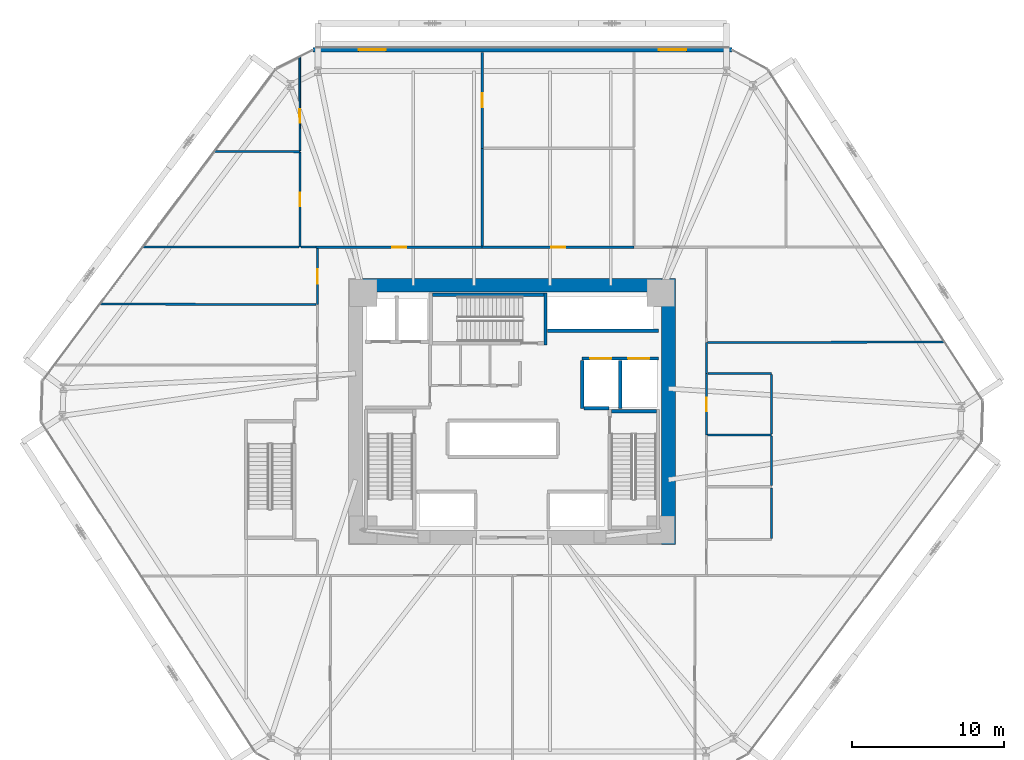
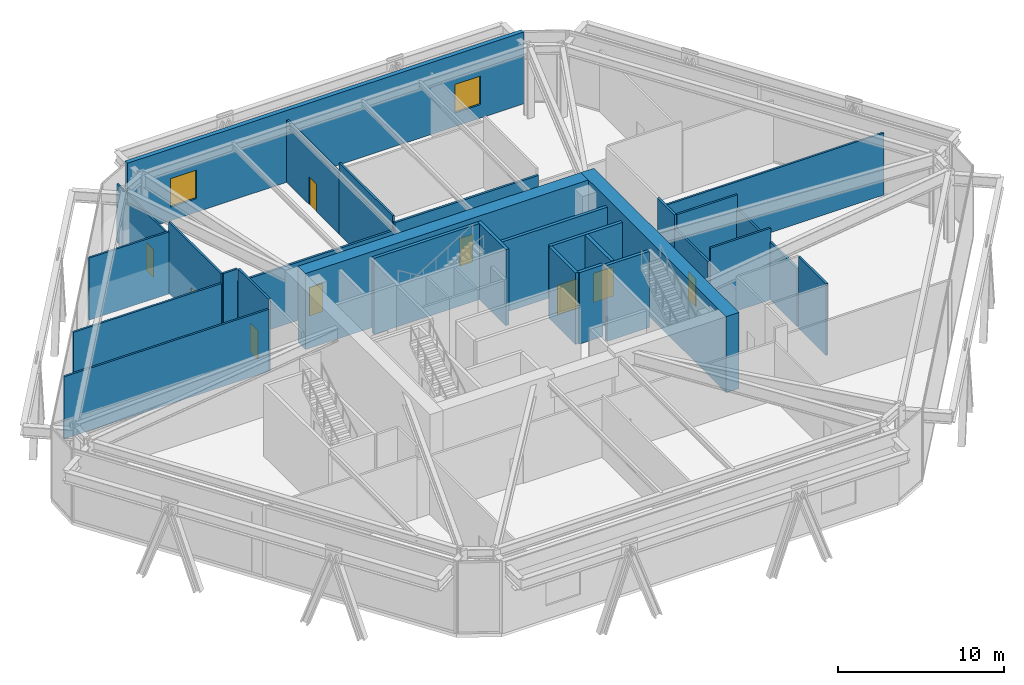
# One storey, part 19 of 23: 30 walls, 9 doors, 2 windows, 11 openings.
"""IFC4 building model written with IfcOpenShell, lengths in metres."""

from ifc_helpers import new_model, si_unit, direction, frame, frame_2d, origin, place, context, subcontext, project, spatial, rectangle, extrude, source, transform, mapped, material, layer, layer_set, type_object, type_shapes, element, fill, save


model = new_model("IFC4")

# Units and contexts
model_context = context("Model", 3, precision=1e-05, world=origin(), true_north=direction((0.0, 1.0)))
body_context = subcontext(model_context, "Body", "Model", "MODEL_VIEW")
ifc_project = project(units=[si_unit("LENGTHUNIT", "METRE"), si_unit("AREAUNIT", "SQUARE_METRE"), si_unit("VOLUMEUNIT", "CUBIC_METRE"), si_unit("PLANEANGLEUNIT", "RADIAN"), si_unit("MASSUNIT", "GRAM", prefix="KILO")], contexts=[model_context])

# Site, building, storey
site_placement = place(None, origin())
site = spatial("IfcSite", under=ifc_project, at=site_placement, CompositionType="ELEMENT")
building_placement = place(site_placement, origin())
building = spatial("IfcBuilding", under=site, at=building_placement, Name="Durnholm Broadcast Tower", CompositionType="ELEMENT")
storey_placement = place(building_placement, frame((0.0, 0.0, 21.199951171875)))
storey = spatial("IfcBuildingStorey", under=building, at=storey_placement, Name="L04", CompositionType="ELEMENT", Elevation=21.199951171875)

# Walls
ifc_material_1 = material(Name="Concrete C70/85", Category="concrete")
ifc_layer_1 = layer(ifc_material_1, 0.89990234375)
ifc_layer_set_1 = layer_set([ifc_layer_1], Name="Concrete C70/85")
wall_type_1 = type_object("IfcWallType", Name="WALL-CW-900", PredefinedType="SHEAR", material=ifc_layer_set_1)
wall_1_placement = place(storey_placement, frame((10.300048828125, -8.75, 0.0), z_axis=(0.0, 0.0, 1.0), x_axis=(0.0, 1.0, 0.0)))
element("IfcWall", 1, at=wall_1_placement, inside=storey, type_object=wall_type_1, Name="L04 central core shear wall CW-EAST", PredefinedType="SHEAR", context=body_context, shape_type="SweptSolid", body=[
    extrude(rectangle(XDim=17.5, YDim=0.89990234375, at=frame_2d((8.75, 0.0))), origin(), (0.0, 0.0, 1.0), 5.60009765625),
])
wall_2_placement = place(storey_placement, frame((-9.85009765625, 8.300048828125, 0.0), z_axis=(0.0, 0.0, 1.0), x_axis=(1.0, 0.0, 0.0)))
element("IfcWall", 2, at=wall_2_placement, inside=storey, type_object=wall_type_1, Name="L04 central core shear wall CW-N", PredefinedType="SHEAR", context=body_context, shape_type="SweptSolid", body=[
    extrude(rectangle(XDim=19.7001953125, YDim=0.89990234375, at=frame_2d((9.85009765625, 0.0))), origin(), (0.0, 0.0, 1.0), 5.60009765625),
])

# Wall, openings, windows
ifc_material_2 = material(Name="Precast Concrete C45/55", Category="concrete")
ifc_layer_2 = layer(ifc_material_2, 0.300048828125)
ifc_layer_set_2 = layer_set([ifc_layer_2], Name="Precast Concrete C45/55")
wall_type_2 = type_object("IfcWallType", Name="WALL-EXT-300", PredefinedType="SOLIDWALL", material=ifc_layer_set_2)
wall_3_placement = place(storey_placement, frame((-13.102783203125, 23.800048828125, 0.0), z_axis=(0.0, 0.0, 1.0), x_axis=(1.0, 0.0, 0.0)))
wall_3 = element("IfcWall", 3, at=wall_3_placement, inside=storey, type_object=wall_type_2, Name="L04 broadcast studio acoustic facade wall 04", PredefinedType="SOLIDWALL", context=body_context, shape_type="SweptSolid", body=[
    extrude(rectangle(XDim=27.577880859375, YDim=0.300048828125, at=frame_2d((13.7890625, 0.0))), origin(), (0.0, 0.0, 1.0), 5.280029296875),
])
opening_1_placement = place(wall_3_placement, frame((3.0, 0.0, 1.0)))
opening_1 = element("IfcOpeningElement", 4, at=opening_1_placement, cuts=wall_3, Name="Opening W2", PredefinedType="OPENING", context=body_context, shape_type="SweptSolid", body=[
    extrude(rectangle(XDim=1.800048828125, YDim=2.10009765625, at=frame_2d((0.89990234375, 1.050048828125))), frame((0.0, 0.16015625, 0.0), z_axis=(0.0, -1.0, 0.0), x_axis=(1.0, 0.0, 0.0)), (0.0, 0.0, 1.0), 0.320068359375),
])
opening_2_placement = place(wall_3_placement, frame((22.778076171875, 0.0, 1.0)))
opening_2 = element("IfcOpeningElement", 5, at=opening_2_placement, cuts=wall_3, Name="Opening W2", PredefinedType="OPENING", context=body_context, shape_type="SweptSolid", body=[
    extrude(rectangle(XDim=1.800048828125, YDim=2.10009765625, at=frame_2d((0.89990234375, 1.050048828125))), frame((0.0, 0.16015625, 0.0), z_axis=(0.0, -1.0, 0.0), x_axis=(1.0, 0.0, 0.0)), (0.0, 0.0, 1.0), 0.320068359375),
])
ifc_material_3 = material(Name="Thermally Broken Aluminium and Laminated Glass", Category="aluminium")
ifc_layer_3 = layer(ifc_material_3, 0.06005859375)
ifc_layer_set_3 = layer_set([ifc_layer_3], Name="Thermally Broken Aluminium and Laminated Glass")
window_type = type_object("IfcWindowType", Name="WIN-W2", PartitioningType="DOUBLE_PANEL_VERTICAL", PredefinedType="WINDOW", material=ifc_layer_set_3)
shared_shape_1 = source(origin(), body_context, "Body", "SweptSolid", [
    extrude(rectangle(XDim=1.800048828125, YDim=2.10009765625, at=frame_2d((0.89990234375, 1.050048828125))), frame((0.0, 0.030029296875, 0.0), z_axis=(0.0, -1.0, 0.0), x_axis=(1.0, 0.0, 0.0)), (0.0, 0.0, 1.0), 0.06005859375),
])
type_shapes(window_type, [shared_shape_1])
window_1_placement = place(opening_1_placement, origin())
window_1 = element("IfcWindow", 6, at=window_1_placement, inside=storey, type_object=window_type, Name="L04 studio acoustic window 04.1", OverallHeight=2.10009765625, OverallWidth=1.800048828125, PartitioningType="DOUBLE_PANEL_VERTICAL", PredefinedType="WINDOW", context=body_context, shape_type="MappedRepresentation", body=[
    mapped(shared_shape_1, transform((0.0, 0.0, 0.0), x_axis=(1.0, 0.0, 0.0), y_axis=(0.0, 1.0, 0.0), z_axis=(0.0, 0.0, 1.0), scale=1.0)),
])
fill(opening_1, window_1)
window_2_placement = place(opening_2_placement, origin())
window_2 = element("IfcWindow", 7, at=window_2_placement, inside=storey, type_object=window_type, Name="L04 studio acoustic window 04.2", OverallHeight=2.10009765625, OverallWidth=1.800048828125, PartitioningType="DOUBLE_PANEL_VERTICAL", PredefinedType="WINDOW", context=body_context, shape_type="MappedRepresentation", body=[
    mapped(shared_shape_1, transform((0.0, 0.0, 0.0), x_axis=(1.0, 0.0, 0.0), y_axis=(0.0, 1.0, 0.0), z_axis=(0.0, 0.0, 1.0), scale=1.0)),
])
fill(opening_2, window_2)

# Wall, opening, door
ifc_material_4 = material(Name="Operable Acoustic Panel Partition", Category="aluminium")
ifc_layer_4 = layer(ifc_material_4, 0.110107421875)
ifc_layer_set_4 = layer_set([ifc_layer_4], Name="Operable Acoustic Panel Partition")
wall_type_3 = type_object("IfcWallType", Name="WALL-MOV-110", PredefinedType="MOVABLE", material=ifc_layer_set_4)
wall_4_placement = place(storey_placement, frame((-13.977783203125, 23.36181640625, 0.0), z_axis=(0.0, 0.0, 1.0), x_axis=(0.002798349441, -0.999996084613, 0.0)))
wall_4 = element("IfcWall", 8, at=wall_4_placement, inside=storey, type_object=wall_type_3, Name="L04 room dividing partition 8.9", PredefinedType="MOVABLE", context=body_context, shape_type="SweptSolid", body=[
    extrude(rectangle(XDim=6.1943359375, YDim=0.110107421875, at=frame_2d((3.09716796875, 0.0))), origin(), (0.0, 0.0, 1.0), 4.28466796875),
])
opening_3_placement = place(wall_4_placement, frame((3.469970703125, 0.0, 0.0)))
opening_3 = element("IfcOpeningElement", 9, at=opening_3_placement, cuts=wall_4, Name="Opening DW-90L", PredefinedType="OPENING", context=body_context, shape_type="SweptSolid", body=[
    extrude(rectangle(XDim=0.89990234375, YDim=2.050048828125, at=frame_2d((0.449951171875, 1.02490234375))), frame((0.0, 0.06494140625, 0.0), z_axis=(0.0, -1.0, 0.0), x_axis=(1.0, 0.0, 0.0)), (0.0, 0.0, 1.0), 0.130126953125),
])
ifc_material_5 = material(Name="Laminate Restroom Door", Category="steel")
ifc_layer_5 = layer(ifc_material_5, 0.050048828125)
ifc_layer_set_5 = layer_set([ifc_layer_5], Name="Laminate Restroom Door")
door_type_1 = type_object("IfcDoorType", Name="DOOR-WC-900L", OperationType="NOTDEFINED", PredefinedType="DOOR", material=ifc_layer_set_5)
shared_shape_2 = source(origin(), body_context, "Body", "SweptSolid", [
    extrude(rectangle(XDim=0.89990234375, YDim=2.050048828125, at=frame_2d((0.449951171875, 1.02490234375))), frame((0.0, 0.02490234375, 0.0), z_axis=(0.0, -1.0, 0.0), x_axis=(1.0, 0.0, 0.0)), (0.0, 0.0, 1.0), 0.050048828125),
])
type_shapes(door_type_1, [shared_shape_2])
door_1_placement = place(opening_3_placement, origin())
door_1 = element("IfcDoor", 10, at=door_1_placement, inside=storey, type_object=door_type_1, Name="L04 News Production Hall 4B connecting door", OperationType="SINGLE_SWING_LEFT", OverallHeight=2.050048828125, OverallWidth=0.89990234375, PredefinedType="DOOR", context=body_context, shape_type="MappedRepresentation", body=[
    mapped(shared_shape_2, transform((0.0, 0.0, 0.0), x_axis=(1.0, 0.0, 0.0), y_axis=(0.0, 1.0, 0.0), z_axis=(0.0, 0.0, 1.0), scale=1.0)),
])
fill(opening_3, door_1)

# Wall
ifc_material_6 = material(Name="Gypsum Metal Stud Partition", Category="concrete")
ifc_layer_6 = layer(ifc_material_6, 0.135009765625)
ifc_layer_set_6 = layer_set([ifc_layer_6], Name="Gypsum Metal Stud Partition")
wall_type_4 = type_object("IfcWallType", Name="WALL-PART-135", PredefinedType="PARTITIONING", material=ifc_layer_set_6)
wall_5_placement = place(storey_placement, frame((-19.611572265625, 17.1201171875, 0.0), z_axis=(0.0, 0.0, 1.0), x_axis=(0.999990855289, -0.004276603511, 0.0)))
element("IfcWall", 11, at=wall_5_placement, inside=storey, type_object=wall_type_4, Name="L04 room dividing partition 7.8", PredefinedType="PARTITIONING", context=body_context, shape_type="SweptSolid", body=[
    extrude(rectangle(XDim=5.651611328125, YDim=0.135009765625, at=frame_2d((2.82568359375, 0.0))), origin(), (0.0, 0.0, 1.0), 4.57421875),
])

# Wall, opening, door
wall_6_placement = place(storey_placement, frame((-13.9599609375, 17.095947265625, 0.0), z_axis=(0.0, 0.0, 1.0), x_axis=(0.0, -1.0, 0.0)))
wall_6 = element("IfcWall", 12, at=wall_6_placement, inside=storey, type_object=wall_type_4, Name="L04 room dividing partition 7.9", PredefinedType="PARTITIONING", context=body_context, shape_type="SweptSolid", body=[
    extrude(rectangle(XDim=6.285888671875, YDim=0.135009765625, at=frame_2d((3.14306640625, 0.0))), origin(), (0.0, 0.0, 1.0), 5.26513671875),
])
opening_4_placement = place(wall_6_placement, frame((2.693115234375, 0.0, 0.0)))
opening_4 = element("IfcOpeningElement", 13, at=opening_4_placement, cuts=wall_6, Name="Opening DW-90L", PredefinedType="OPENING", context=body_context, shape_type="SweptSolid", body=[
    extrude(rectangle(XDim=0.89990234375, YDim=2.050048828125, at=frame_2d((0.449951171875, 1.02490234375))), frame((0.0, 0.07763671875, 0.0), z_axis=(0.0, -1.0, 0.0), x_axis=(1.0, 0.0, 0.0)), (0.0, 0.0, 1.0), 0.155029296875),
])
door_2_placement = place(opening_4_placement, origin())
door_2 = element("IfcDoor", 14, at=door_2_placement, inside=storey, type_object=door_type_1, Name="L04 Studio Control Office 4A connecting door", OperationType="SINGLE_SWING_LEFT", OverallHeight=2.050048828125, OverallWidth=0.89990234375, PredefinedType="DOOR", context=body_context, shape_type="MappedRepresentation", body=[
    mapped(shared_shape_2, transform((0.0, 0.0, 0.0), x_axis=(1.0, 0.0, 0.0), y_axis=(0.0, 1.0, 0.0), z_axis=(0.0, 0.0, 1.0), scale=1.0)),
])
fill(opening_4, door_2)

# Walls
wall_7_placement = place(storey_placement, frame((-14.031494140625, 10.810302734375, 0.0), z_axis=(0.0, 0.0, 1.0), x_axis=(-0.999997348739, 0.002302719182, 0.0)))
element("IfcWall", 15, at=wall_7_placement, inside=storey, type_object=wall_type_4, Name="L04 room dividing partition 7.20", PredefinedType="PARTITIONING", context=body_context, shape_type="SweptSolid", body=[
    extrude(rectangle(XDim=10.2841796875, YDim=0.135009765625, at=frame_2d((5.14208984375, 0.0))), origin(), (0.0, 0.0, 1.0), 4.57421875),
])
wall_8_placement = place(storey_placement, frame((-1.9599609375, 17.324951171875, 0.0), z_axis=(0.0, 0.0, 1.0), x_axis=(0.0, -1.0, 0.0)))
element("IfcWall", 16, at=wall_8_placement, inside=storey, type_object=wall_type_4, Name="L04 room dividing partition 9.10", PredefinedType="PARTITIONING", context=body_context, shape_type="SweptSolid", body=[
    extrude(rectangle(XDim=6.43603515625, YDim=0.135009765625, at=frame_2d((3.218017578125, 0.0))), origin(), (0.0, 0.0, 1.0), 5.26513671875),
])

# Wall, opening, door
wall_9_placement = place(storey_placement, frame((-1.9599609375, 23.64501953125, 0.0), z_axis=(0.0, 0.0, 1.0), x_axis=(0.0, -1.0, 0.0)))
wall_9 = element("IfcWall", 17, at=wall_9_placement, inside=storey, type_object=wall_type_4, Name="L04 room dividing partition 9.11", PredefinedType="PARTITIONING", context=body_context, shape_type="SweptSolid", body=[
    extrude(rectangle(XDim=6.320068359375, YDim=0.135009765625, at=frame_2d((3.16015625, 0.0))), origin(), (0.0, 0.0, 1.0), 4.57421875),
])
opening_5_placement = place(wall_9_placement, frame((2.7099609375, 0.0, 0.0)))
opening_5 = element("IfcOpeningElement", 18, at=opening_5_placement, cuts=wall_9, Name="Opening DW-90L", PredefinedType="OPENING", context=body_context, shape_type="SweptSolid", body=[
    extrude(rectangle(XDim=0.89990234375, YDim=2.050048828125, at=frame_2d((0.449951171875, 1.02490234375))), frame((0.0, 0.07763671875, 0.0), z_axis=(0.0, -1.0, 0.0), x_axis=(1.0, 0.0, 0.0)), (0.0, 0.0, 1.0), 0.155029296875),
])
door_3_placement = place(opening_5_placement, origin())
door_3 = element("IfcDoor", 19, at=door_3_placement, inside=storey, type_object=door_type_1, Name="L04 Broadcast Engineering Office connecting door", OperationType="SINGLE_SWING_LEFT", OverallHeight=2.050048828125, OverallWidth=0.89990234375, PredefinedType="DOOR", context=body_context, shape_type="MappedRepresentation", body=[
    mapped(shared_shape_2, transform((0.0, 0.0, 0.0), x_axis=(1.0, 0.0, 0.0), y_axis=(0.0, 1.0, 0.0), z_axis=(0.0, 0.0, 1.0), scale=1.0)),
])
fill(opening_5, door_3)

# Walls
wall_10_placement = place(storey_placement, frame((-12.889892578125, 10.81005859375, 0.0), z_axis=(0.0, 0.0, 1.0), x_axis=(-1.0, 0.0, 0.0)))
element("IfcWall", 20, at=wall_10_placement, inside=storey, type_object=wall_type_4, Name="L04 room dividing partition 9.20", PredefinedType="PARTITIONING", context=body_context, shape_type="SweptSolid", body=[
    extrude(rectangle(XDim=0.99853515625, YDim=0.135009765625, at=frame_2d((0.499267578125, 0.0))), origin(), (0.0, 0.0, 1.0), 5.26513671875),
])
wall_11_placement = place(storey_placement, frame((-27.136962890625, 7.06396484375, 0.0), z_axis=(0.0, 0.0, 1.0), x_axis=(0.999998590092, -0.001679229983, 0.0)))
element("IfcWall", 21, at=wall_11_placement, inside=storey, type_object=wall_type_4, Name="L04 room dividing partition 19.20", PredefinedType="PARTITIONING", context=body_context, shape_type="SweptSolid", body=[
    extrude(rectangle(XDim=14.248046875, YDim=0.135009765625, at=frame_2d((7.1240234375, 0.0))), origin(), (0.0, 0.0, 1.0), 4.57421875),
])
wall_12_placement = place(storey_placement, frame((12.888916015625, 4.5400390625, 0.0), z_axis=(0.0, 0.0, 1.0), x_axis=(0.999999029841, 0.001392952493, 0.0)))
element("IfcWall", 22, at=wall_12_placement, inside=storey, type_object=wall_type_4, Name="L04 room dividing partition 21.22", PredefinedType="PARTITIONING", context=body_context, shape_type="SweptSolid", body=[
    extrude(rectangle(XDim=15.598876953125, YDim=0.135009765625, at=frame_2d((7.79931640625, 0.0))), origin(), (0.0, 0.0, 1.0), 4.57421875),
])

# Wall, opening, door
ifc_material_7 = material(Name="Acoustic Gypsum Stud Partition", Category="concrete")
ifc_layer_7 = layer(ifc_material_7, 0.14990234375)
ifc_layer_set_7 = layer_set([ifc_layer_7], Name="Acoustic Gypsum Stud Partition")
wall_type_5 = type_object("IfcWallType", Name="WALL-PART-150", PredefinedType="PARTITIONING", material=ifc_layer_set_7)
wall_13_placement = place(storey_placement, frame((-1.9599609375, 10.81005859375, 0.0), z_axis=(0.0, 0.0, 1.0), x_axis=(-1.0, 0.0, 0.0)))
wall_13 = element("IfcWall", 23, at=wall_13_placement, inside=storey, type_object=wall_type_5, Name="L04 Live Audio Office corridor partition", PredefinedType="PARTITIONING", context=body_context, shape_type="SweptSolid", body=[
    extrude(rectangle(XDim=10.929931640625, YDim=0.14990234375, at=frame_2d((5.46484375, 0.0))), origin(), (0.0, 0.0, 1.0), 4.28466796875),
])
opening_6_placement = place(wall_13_placement, frame((5.0048828125, 0.0, 0.0)))
opening_6 = element("IfcOpeningElement", 24, at=opening_6_placement, cuts=wall_13, Name="Opening DR-92L", PredefinedType="OPENING", context=body_context, shape_type="SweptSolid", body=[
    extrude(rectangle(XDim=0.919921875, YDim=2.10009765625, at=frame_2d((0.4599609375, 1.050048828125))), frame((0.0, 0.0849609375, 0.0), z_axis=(0.0, -1.0, 0.0), x_axis=(1.0, 0.0, 0.0)), (0.0, 0.0, 1.0), 0.169921875),
])
ifc_material_8 = material(Name="Oak Veneer Office Door", Category="wood")
ifc_layer_8 = layer(ifc_material_8, 0.050048828125)
ifc_layer_set_8 = layer_set([ifc_layer_8], Name="Oak Veneer Office Door")
door_type_2 = type_object("IfcDoorType", Name="DOOR-RM-920L", OperationType="NOTDEFINED", PredefinedType="DOOR", material=ifc_layer_set_8)
shared_shape_3 = source(origin(), body_context, "Body", "SweptSolid", [
    extrude(rectangle(XDim=0.919921875, YDim=2.10009765625, at=frame_2d((0.4599609375, 1.050048828125))), frame((0.0, 0.02490234375, 0.0), z_axis=(0.0, -1.0, 0.0), x_axis=(1.0, 0.0, 0.0)), (0.0, 0.0, 1.0), 0.050048828125),
])
type_shapes(door_type_2, [shared_shape_3])
door_4_placement = place(opening_6_placement, origin())
door_4 = element("IfcDoor", 25, at=door_4_placement, inside=storey, type_object=door_type_2, Name="L04 Live Audio Office entrance door", OperationType="SINGLE_SWING_LEFT", OverallHeight=2.10009765625, OverallWidth=0.919921875, PredefinedType="DOOR", context=body_context, shape_type="MappedRepresentation", body=[
    mapped(shared_shape_3, transform((0.0, 0.0, 0.0), x_axis=(1.0, 0.0, 0.0), y_axis=(0.0, 1.0, 0.0), z_axis=(0.0, 0.0, 1.0), scale=1.0)),
])
fill(opening_6, door_4)

wall_14_placement = place(storey_placement, frame((8.0400390625, 10.81005859375, 0.0), z_axis=(0.0, 0.0, 1.0), x_axis=(-1.0, 0.0, 0.0)))
wall_14 = element("IfcWall", 26, at=wall_14_placement, inside=storey, type_object=wall_type_5, Name="L04 Wardrobe Store corridor partition", PredefinedType="PARTITIONING", context=body_context, shape_type="SweptSolid", body=[
    extrude(rectangle(XDim=10.0, YDim=0.14990234375, at=frame_2d((5.0, 0.0))), origin(), (0.0, 0.0, 1.0), 4.817626953125),
])
opening_7_placement = place(wall_14_placement, frame((4.550048828125, 0.0, 0.0)))
opening_7 = element("IfcOpeningElement", 27, at=opening_7_placement, cuts=wall_14, Name="Opening DC-60R", PredefinedType="OPENING", context=body_context, shape_type="SweptSolid", body=[
    extrude(rectangle(XDim=0.89990234375, YDim=2.050048828125, at=frame_2d((0.449951171875, 1.02490234375))), frame((0.0, 0.0849609375, 0.0), z_axis=(0.0, -1.0, 0.0), x_axis=(1.0, 0.0, 0.0)), (0.0, 0.0, 1.0), 0.169921875),
])
ifc_material_9 = material(Name="Fire-Rated Core Service Door", Category="steel")
ifc_layer_9 = layer(ifc_material_9, 0.050048828125)
ifc_layer_set_9 = layer_set([ifc_layer_9], Name="Fire-Rated Core Service Door")
door_type_3 = type_object("IfcDoorType", Name="DOOR-CORE-FD60-R", OperationType="NOTDEFINED", PredefinedType="DOOR", material=ifc_layer_set_9)
shared_shape_4 = source(origin(), body_context, "Body", "SweptSolid", [
    extrude(rectangle(XDim=0.89990234375, YDim=2.050048828125, at=frame_2d((0.449951171875, 1.02490234375))), frame((0.0, 0.02490234375, 0.0), z_axis=(0.0, -1.0, 0.0), x_axis=(1.0, 0.0, 0.0)), (0.0, 0.0, 1.0), 0.050048828125),
])
type_shapes(door_type_3, [shared_shape_4])
door_5_placement = place(opening_7_placement, origin())
door_5 = element("IfcDoor", 28, at=door_5_placement, inside=storey, type_object=door_type_3, Name="L04 Wardrobe Store entrance door", OperationType="SINGLE_SWING_RIGHT", OverallHeight=2.050048828125, OverallWidth=0.89990234375, PredefinedType="DOOR", context=body_context, shape_type="MappedRepresentation", body=[
    mapped(shared_shape_4, transform((0.0, 0.0, 0.0), x_axis=(1.0, 0.0, 0.0), y_axis=(0.0, 1.0, 0.0), z_axis=(0.0, 0.0, 1.0), scale=1.0)),
])
fill(opening_7, door_5)

wall_15_placement = place(storey_placement, frame((-12.81005859375, 10.73095703125, 0.0), z_axis=(0.0, 0.0, 1.0), x_axis=(0.0, -1.0, 0.0)))
wall_15 = element("IfcWall", 29, at=wall_15_placement, inside=storey, type_object=wall_type_5, Name="L04 Technical Director Office corridor partition", PredefinedType="PARTITIONING", context=body_context, shape_type="SweptSolid", body=[
    extrude(rectangle(XDim=3.69091796875, YDim=0.14990234375, at=frame_2d((1.845458984375, 0.0))), origin(), (0.0, 0.0, 1.0), 5.26513671875),
])
opening_8_placement = place(wall_15_placement, frame((1.37060546875, 0.0, 0.0)))
opening_8 = element("IfcOpeningElement", 30, at=opening_8_placement, cuts=wall_15, Name="Opening DR-95R", PredefinedType="OPENING", context=body_context, shape_type="SweptSolid", body=[
    extrude(rectangle(XDim=0.949951171875, YDim=2.10009765625, at=frame_2d((0.47509765625, 1.050048828125))), frame((0.0, 0.0849609375, 0.0), z_axis=(0.0, -1.0, 0.0), x_axis=(1.0, 0.0, 0.0)), (0.0, 0.0, 1.0), 0.169921875),
])
ifc_material_10 = material(Name="Acoustic Oak Veneer Timber Door", Category="wood")
ifc_layer_10 = layer(ifc_material_10, 0.050048828125)
ifc_layer_set_10 = layer_set([ifc_layer_10], Name="Acoustic Oak Veneer Timber Door")
door_type_4 = type_object("IfcDoorType", Name="DOOR-RM-950R", OperationType="NOTDEFINED", PredefinedType="DOOR", material=ifc_layer_set_10)
shared_shape_5 = source(origin(), body_context, "Body", "SweptSolid", [
    extrude(rectangle(XDim=0.949951171875, YDim=2.10009765625, at=frame_2d((0.47509765625, 1.050048828125))), frame((0.0, 0.02490234375, 0.0), z_axis=(0.0, -1.0, 0.0), x_axis=(1.0, 0.0, 0.0)), (0.0, 0.0, 1.0), 0.050048828125),
])
type_shapes(door_type_4, [shared_shape_5])
door_6_placement = place(opening_8_placement, origin())
door_6 = element("IfcDoor", 31, at=door_6_placement, inside=storey, type_object=door_type_4, Name="L04 Technical Director Office entrance door", OperationType="SINGLE_SWING_RIGHT", OverallHeight=2.10009765625, OverallWidth=0.949951171875, PredefinedType="DOOR", context=body_context, shape_type="MappedRepresentation", body=[
    mapped(shared_shape_5, transform((0.0, 0.0, 0.0), x_axis=(1.0, 0.0, 0.0), y_axis=(0.0, 1.0, 0.0), z_axis=(0.0, 0.0, 1.0), scale=1.0)),
])
fill(opening_8, door_6)

# Wall
wall_16_placement = place(storey_placement, frame((12.81005859375, 2.489990234375, 0.0), z_axis=(0.0, 0.0, 1.0), x_axis=(0.0, 1.0, 0.0)))
element("IfcWall", 32, at=wall_16_placement, inside=storey, type_object=wall_type_5, Name="L04 Crew Dining Room corridor partition", PredefinedType="PARTITIONING", context=body_context, shape_type="SweptSolid", body=[
    extrude(rectangle(XDim=2.050048828125, YDim=0.14990234375, at=frame_2d((1.02490234375, 0.0))), origin(), (0.0, 0.0, 1.0), 5.26513671875),
])

# Wall, openings, doors
ifc_material_11 = material(Name="Concrete Blockwork C30/37", Category="masonry")
ifc_layer_11 = layer(ifc_material_11, 0.219970703125)
ifc_layer_set_11 = layer_set([ifc_layer_11], Name="Concrete Blockwork C30/37")
wall_type_6 = type_object("IfcWallType", Name="WALL-SHAFT-220", PredefinedType="SOLIDWALL", material=ifc_layer_set_11)
wall_17_placement = place(storey_placement, frame((4.60009765625, 3.47998046875, 0.0), z_axis=(0.0, 0.0, 1.0), x_axis=(1.0, 0.0, 0.0)))
wall_17 = element("IfcWall", 33, at=wall_17_placement, inside=storey, type_object=wall_type_6, Name="L04 freight service lifts north front wall", PredefinedType="SOLIDWALL", context=body_context, shape_type="SweptSolid", body=[
    extrude(rectangle(XDim=5.0498046875, YDim=0.219970703125, at=frame_2d((2.52490234375, 0.0))), origin(), (0.0, 0.0, 1.0), 5.26513671875),
])
opening_9_placement = place(wall_17_placement, frame((0.550048828125, 0.0, 0.0)))
opening_9 = element("IfcOpeningElement", 34, at=opening_9_placement, cuts=wall_17, Name="Opening LD-SVL-2", PredefinedType="OPENING", context=body_context, shape_type="SweptSolid", body=[
    extrude(rectangle(XDim=1.39990234375, YDim=2.14990234375, at=frame_2d((0.699951171875, 1.074951171875))), frame((0.0, 0.1201171875, 0.0), z_axis=(0.0, -1.0, 0.0), x_axis=(1.0, 0.0, 0.0)), (0.0, 0.0, 1.0), 0.239990234375),
])
opening_10_placement = place(wall_17_placement, frame((3.050048828125, 0.0, 0.0)))
opening_10 = element("IfcOpeningElement", 35, at=opening_10_placement, cuts=wall_17, Name="Opening LD-SVL-1", PredefinedType="OPENING", context=body_context, shape_type="SweptSolid", body=[
    extrude(rectangle(XDim=1.39990234375, YDim=2.14990234375, at=frame_2d((0.699951171875, 1.074951171875))), frame((0.0, 0.1201171875, 0.0), z_axis=(0.0, -1.0, 0.0), x_axis=(1.0, 0.0, 0.0)), (0.0, 0.0, 1.0), 0.239990234375),
])
ifc_material_12 = material(Name="Freight Elevator Bi-Parting Sliding Landing Door", Category="steel")
ifc_layer_12 = layer(ifc_material_12, 0.050048828125)
ifc_layer_set_12 = layer_set([ifc_layer_12], Name="Freight Elevator Bi-Parting Sliding Landing Door")
door_type_5 = type_object("IfcDoorType", Name="DOOR-LIFT-SVL", OperationType="DOUBLE_DOOR_SLIDING", PredefinedType="DOOR", material=ifc_layer_set_12)
shared_shape_6 = source(origin(), body_context, "Body", "SweptSolid", [
    extrude(rectangle(XDim=1.39990234375, YDim=2.14990234375, at=frame_2d((0.699951171875, 1.074951171875))), frame((0.0, 0.02490234375, 0.0), z_axis=(0.0, -1.0, 0.0), x_axis=(1.0, 0.0, 0.0)), (0.0, 0.0, 1.0), 0.050048828125),
])
type_shapes(door_type_5, [shared_shape_6])
door_7_placement = place(opening_9_placement, origin())
door_7 = element("IfcDoor", 36, at=door_7_placement, inside=storey, type_object=door_type_5, Name="L04 freight service elevator SVL-2 sliding landing door", OperationType="DOUBLE_DOOR_SLIDING", OverallHeight=2.14990234375, OverallWidth=1.39990234375, PredefinedType="DOOR", context=body_context, shape_type="MappedRepresentation", body=[
    mapped(shared_shape_6, transform((0.0, 0.0, 0.0), x_axis=(1.0, 0.0, 0.0), y_axis=(0.0, 1.0, 0.0), z_axis=(0.0, 0.0, 1.0), scale=1.0)),
])
fill(opening_9, door_7)
door_8_placement = place(opening_10_placement, origin())
door_8 = element("IfcDoor", 37, at=door_8_placement, inside=storey, type_object=door_type_5, Name="L04 freight service elevator SVL-1 sliding landing door", OperationType="DOUBLE_DOOR_SLIDING", OverallHeight=2.14990234375, OverallWidth=1.39990234375, PredefinedType="DOOR", context=body_context, shape_type="MappedRepresentation", body=[
    mapped(shared_shape_6, transform((0.0, 0.0, 0.0), x_axis=(1.0, 0.0, 0.0), y_axis=(0.0, 1.0, 0.0), z_axis=(0.0, 0.0, 1.0), scale=1.0)),
])
fill(opening_10, door_8)

# Walls
for number, where, z_axis, x_axis, name in (
    (38, (4.6201171875, 0.179931640625, 0.0), (0.0, 0.0, 1.0), (0.0, 1.0, 0.0), "L04 freight service lift SVL-2 west wall"),
    (39, (7.1201171875, 0.179931640625, 0.0), (0.0, 0.0, 1.0), (0.0, 1.0, 0.0), "L04 freight service lifts divider wall"),
):
    element("IfcWall", number, at=place(storey_placement, frame(where, z_axis=z_axis, x_axis=x_axis)), inside=storey, type_object=wall_type_6, Name=name, PredefinedType="SOLIDWALL", context=body_context, shape_type="SweptSolid", body=[
        extrude(rectangle(XDim=3.18603515625, YDim=0.219970703125, at=frame_2d((1.593017578125, 0.0))), origin(), (0.0, 0.0, 1.0), 5.26513671875),
    ])
wall_18_placement = place(storey_placement, frame((4.73388671875, 0.199951171875, 0.0), z_axis=(0.0, 0.0, 1.0), x_axis=(1.0, 0.0, 0.0)))
element("IfcWall", 40, at=wall_18_placement, inside=storey, type_object=wall_type_6, Name="L04 freight service lift SVL-2 south wall", PredefinedType="SOLIDWALL", context=body_context, shape_type="SweptSolid", body=[
    extrude(rectangle(XDim=1.666015625, YDim=0.219970703125, at=frame_2d((0.8330078125, 0.0))), origin(), (0.0, 0.0, 1.0), 5.26513671875),
])
wall_19_placement = place(storey_placement, frame((2.324951171875, 5.320068359375, 0.0), z_axis=(0.0, 0.0, 1.0), x_axis=(1.0, 0.0, 0.0)))
element("IfcWall", 41, at=wall_19_placement, inside=storey, type_object=wall_type_6, Name="L04 high-rise bank P3 south front wall", PredefinedType="SOLIDWALL", context=body_context, shape_type="SweptSolid", body=[
    extrude(rectangle(XDim=7.324951171875, YDim=0.219970703125, at=frame_2d((3.66259765625, 0.0))), origin(), (0.0, 0.0, 1.0), 5.26513671875),
])
ifc_material_13 = material(Name="Concrete C50/60", Category="concrete")
ifc_layer_13 = layer(ifc_material_13, 0.219970703125)
ifc_layer_set_13 = layer_set([ifc_layer_13], Name="Concrete C50/60")
wall_type_7 = type_object("IfcWallType", Name="WALL-SW-220", PredefinedType="SHEAR", material=ifc_layer_set_13)
wall_20_placement = place(storey_placement, frame((9.5, 0.010009765625, -0.320068359375), z_axis=(0.0, 0.0, 1.0), x_axis=(-1.0, 0.0, 0.0)))
element("IfcWall", 42, at=wall_20_placement, inside=storey, type_object=wall_type_7, Name="L04 stair ST-2 structural shaft wall N", PredefinedType="SHEAR", context=body_context, shape_type="SweptSolid", body=[
    extrude(rectangle(XDim=2.9599609375, YDim=0.219970703125, at=frame_2d((1.47998046875, 0.0))), origin(), (0.0, 0.0, 1.0), 5.60009765625),
])
wall_21_placement = place(storey_placement, frame((2.2099609375, 4.3798828125, -0.320068359375), z_axis=(0.0, 0.0, 1.0), x_axis=(0.0, 1.0, 0.0)))
element("IfcWall", 43, at=wall_21_placement, inside=storey, type_object=wall_type_7, Name="L04 stair ST-3 structural shaft wall E", PredefinedType="SHEAR", context=body_context, shape_type="SweptSolid", body=[
    extrude(rectangle(XDim=3.400146484375, YDim=0.219970703125, at=frame_2d((1.7001953125, 0.0))), origin(), (0.0, 0.0, 1.0), 5.60009765625),
])
wall_22_placement = place(storey_placement, frame((2.10009765625, 7.669921875, -0.320068359375), z_axis=(0.0, 0.0, 1.0), x_axis=(-1.0, 0.0, 0.0)))
element("IfcWall", 44, at=wall_22_placement, inside=storey, type_object=wall_type_7, Name="L04 stair ST-3 structural shaft wall N", PredefinedType="SHEAR", context=body_context, shape_type="SweptSolid", body=[
    extrude(rectangle(XDim=7.35009765625, YDim=0.219970703125, at=frame_2d((3.675048828125, 0.0))), origin(), (0.0, 0.0, 1.0), 5.60009765625),
])

# Wall, opening, door
ifc_material_14 = material(Name="Moisture-Resistant Tile Partition", Category="concrete")
ifc_layer_14 = layer(ifc_material_14, 0.139892578125)
ifc_layer_set_14 = layer_set([ifc_layer_14], Name="Moisture-Resistant Tile Partition")
wall_type_8 = type_object("IfcWallType", Name="WALL-WC-140", PredefinedType="PARTITIONING", material=ifc_layer_set_14)
wall_23_placement = place(storey_placement, frame((12.81005859375, -1.56005859375, 0.0), z_axis=(0.0, 0.0, 1.0), x_axis=(0.0, 1.0, 0.0)))
wall_23 = element("IfcWall", 45, at=wall_23_placement, inside=storey, type_object=wall_type_8, Name="L04 Accessible Restroom corridor partition", PredefinedType="PARTITIONING", context=body_context, shape_type="SweptSolid", body=[
    extrude(rectangle(XDim=4.050048828125, YDim=0.139892578125, at=frame_2d((2.02490234375, 0.0))), origin(), (0.0, 0.0, 1.0), 4.28466796875),
])
opening_11_placement = place(wall_23_placement, frame((1.574951171875, 0.0, 0.0)))
opening_11 = element("IfcOpeningElement", 46, at=opening_11_placement, cuts=wall_23, Name="Opening DW-90R", PredefinedType="OPENING", context=body_context, shape_type="SweptSolid", body=[
    extrude(rectangle(XDim=0.89990234375, YDim=2.050048828125, at=frame_2d((0.449951171875, 1.02490234375))), frame((0.0, 0.080078125, 0.0), z_axis=(0.0, -1.0, 0.0), x_axis=(1.0, 0.0, 0.0)), (0.0, 0.0, 1.0), 0.159912109375),
])
ifc_layer_15 = layer(ifc_material_5, 0.050048828125)
ifc_layer_set_15 = layer_set([ifc_layer_15], Name="Laminate Restroom Door")
door_type_6 = type_object("IfcDoorType", Name="DOOR-WC-900R", OperationType="NOTDEFINED", PredefinedType="DOOR", material=ifc_layer_set_15)
shared_shape_7 = source(origin(), body_context, "Body", "SweptSolid", [
    extrude(rectangle(XDim=0.89990234375, YDim=2.050048828125, at=frame_2d((0.449951171875, 1.02490234375))), frame((0.0, 0.02490234375, 0.0), z_axis=(0.0, -1.0, 0.0), x_axis=(1.0, 0.0, 0.0)), (0.0, 0.0, 1.0), 0.050048828125),
])
type_shapes(door_type_6, [shared_shape_7])
door_9_placement = place(opening_11_placement, origin())
door_9 = element("IfcDoor", 47, at=door_9_placement, inside=storey, type_object=door_type_6, Name="L04 Accessible Restroom entrance door", OperationType="SINGLE_SWING_RIGHT", OverallHeight=2.050048828125, OverallWidth=0.89990234375, PredefinedType="DOOR", context=body_context, shape_type="MappedRepresentation", body=[
    mapped(shared_shape_7, transform((0.0, 0.0, 0.0), x_axis=(1.0, 0.0, 0.0), y_axis=(0.0, 1.0, 0.0), z_axis=(0.0, 0.0, 1.0), scale=1.0)),
])
fill(opening_11, door_9)

# Walls
wall_24_placement = place(storey_placement, frame((17.090087890625, -5.033935546875, 0.0), z_axis=(0.0, 0.0, 1.0), x_axis=(0.0, -1.0, 0.0)))
element("IfcWall", 48, at=wall_24_placement, inside=storey, type_object=wall_type_8, Name="L04 room dividing partition 4.21", PredefinedType="PARTITIONING", context=body_context, shape_type="SweptSolid", body=[
    extrude(rectangle(XDim=3.33203125, YDim=0.139892578125, at=frame_2d((1.666015625, 0.0))), origin(), (0.0, 0.0, 1.0), 5.26513671875),
])
wall_25_placement = place(storey_placement, frame((12.884033203125, -1.56005859375, 0.0), z_axis=(0.0, 0.0, 1.0), x_axis=(1.0, 0.0, 0.0)))
element("IfcWall", 49, at=wall_25_placement, inside=storey, type_object=wall_type_8, Name="L04 room dividing partition 5.6", PredefinedType="PARTITIONING", context=body_context, shape_type="SweptSolid", body=[
    extrude(rectangle(XDim=4.2060546875, YDim=0.139892578125, at=frame_2d((2.10302734375, 0.0))), origin(), (0.0, 0.0, 1.0), 5.26513671875),
])
wall_26_placement = place(storey_placement, frame((17.090087890625, -1.634033203125, 0.0), z_axis=(0.0, 0.0, 1.0), x_axis=(0.0, -1.0, 0.0)))
element("IfcWall", 50, at=wall_26_placement, inside=storey, type_object=wall_type_8, Name="L04 room dividing partition 5.21", PredefinedType="PARTITIONING", context=body_context, shape_type="SweptSolid", body=[
    extrude(rectangle(XDim=3.251953125, YDim=0.139892578125, at=frame_2d((1.6259765625, 0.0))), origin(), (0.0, 0.0, 1.0), 4.28466796875),
])
wall_27_placement = place(storey_placement, frame((12.888916015625, 2.489990234375, 0.0), z_axis=(0.0, 0.0, 1.0), x_axis=(1.0, 0.0, 0.0)))
element("IfcWall", 51, at=wall_27_placement, inside=storey, type_object=wall_type_8, Name="L04 room dividing partition 6.21", PredefinedType="PARTITIONING", context=body_context, shape_type="SweptSolid", body=[
    extrude(rectangle(XDim=4.201171875, YDim=0.139892578125, at=frame_2d((2.1005859375, 0.0))), origin(), (0.0, 0.0, 1.0), 5.26513671875),
])
wall_28_placement = place(storey_placement, frame((17.090087890625, 2.416015625, 0.0), z_axis=(0.0, 0.0, 1.0), x_axis=(0.0, -1.0, 0.0)))
element("IfcWall", 52, at=wall_28_placement, inside=storey, type_object=wall_type_8, Name="L04 room dividing partition 6.21", PredefinedType="PARTITIONING", context=body_context, shape_type="SweptSolid", body=[
    extrude(rectangle(XDim=3.902099609375, YDim=0.139892578125, at=frame_2d((1.951171875, 0.0))), origin(), (0.0, 0.0, 1.0), 4.28466796875),
])

save(model, "model.ifc")
